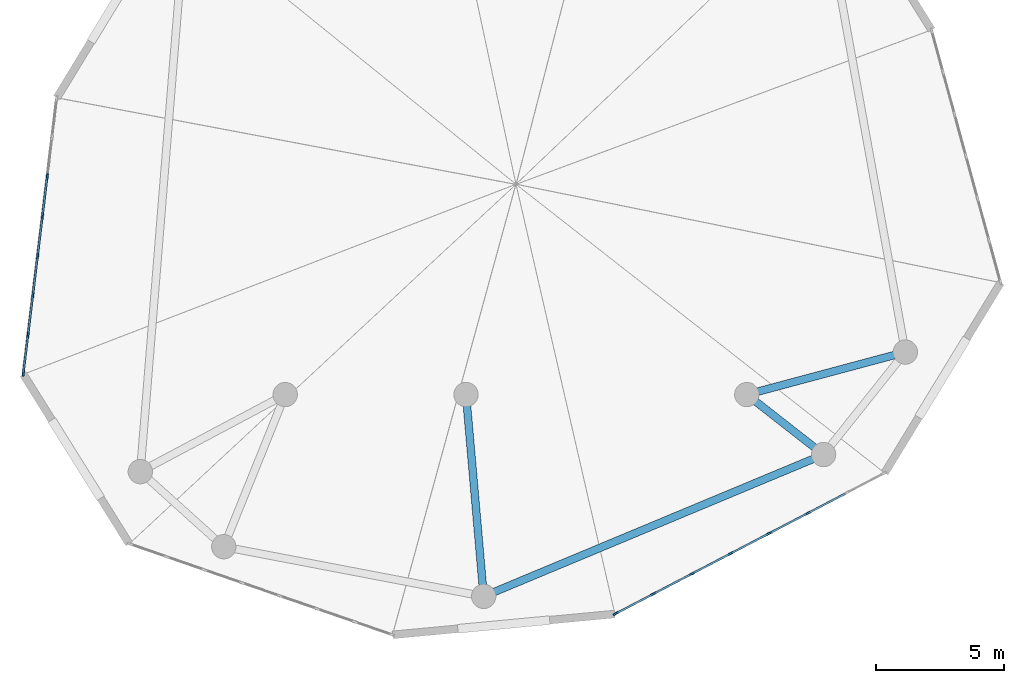
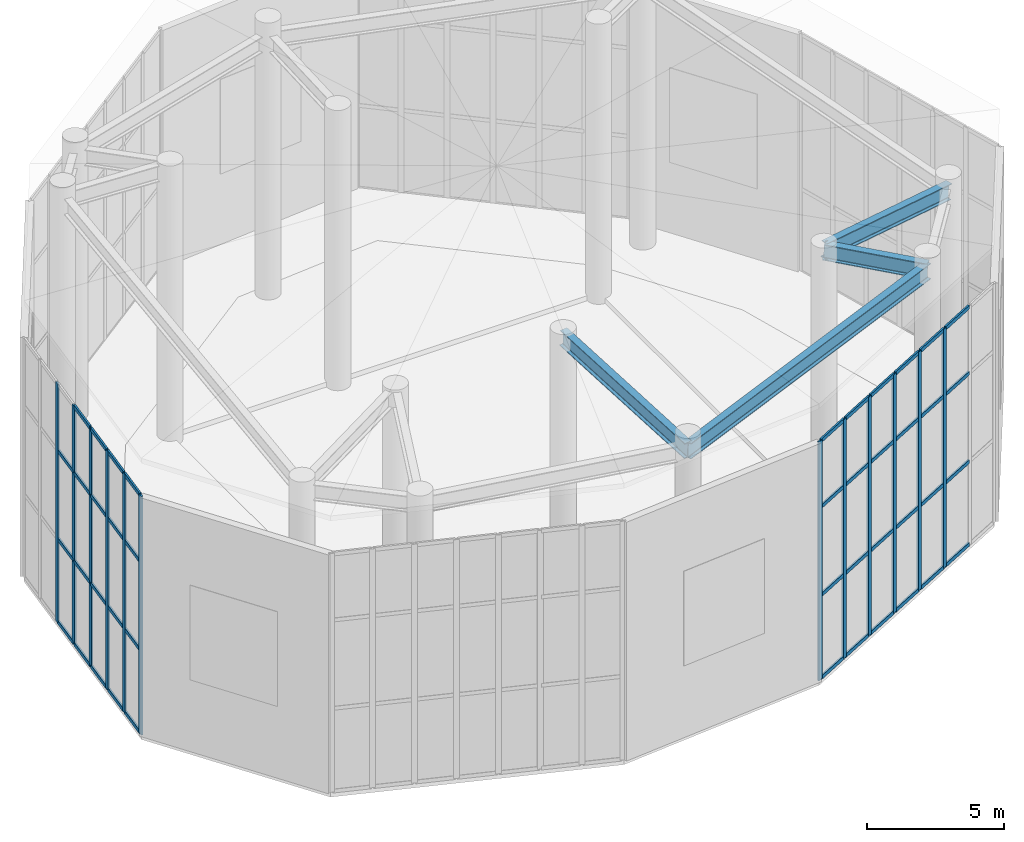
# One storey, part 2 of 8: 55 members, 4 beams, 2 elements without a shape of their own.
"""IFC4 building model written with IfcOpenShell, lengths in metres."""

from ifc_helpers import new_model, si_unit, direction, frame, origin, origin_with_axes, origin_2d, place, context, subcontext, project, spatial, rectangle, i_section, extrude, source, transform, mapped, material, layer, layer_set, material_profile, profile_set, type_object, element, aggregate, save


model = new_model("IFC4")

# Units and contexts
model_context = context("Model", 3, precision=1e-05, world=origin(), true_north=direction((0.0, 1.0)))
body_context = subcontext(model_context, "Body", "Model", "MODEL_VIEW")
ifc_project = project(units=[si_unit("LENGTHUNIT", "METRE"), si_unit("AREAUNIT", "SQUARE_METRE"), si_unit("VOLUMEUNIT", "CUBIC_METRE"), si_unit("PLANEANGLEUNIT", "RADIAN"), si_unit("MASSUNIT", "GRAM", prefix="KILO")], contexts=[model_context])

# Site, building, storey
site_placement = place(None, origin())
site = spatial("IfcSite", under=ifc_project, at=site_placement, CompositionType="ELEMENT")
building_placement = place(site_placement, origin())
building = spatial("IfcBuilding", under=site, at=building_placement, Name="Karkom Vertical University and Central Library", CompositionType="ELEMENT")
storey_placement = place(building_placement, frame((0.0, 0.0, 290.0)))
storey = spatial("IfcBuildingStorey", under=building, at=storey_placement, Name="R82", CompositionType="ELEMENT", Elevation=290.0)

# Beams
ifc_material_1 = material(Name="Steel S355", Category="steel")
ifc_material_profile_1 = material_profile(ifc_material_1, i_section(OverallWidth=0.300048828125, OverallDepth=0.699951171875, WebThickness=0.01708984375, FlangeThickness=0.031982421875, FilletRadius=0.027099609375, at=origin_2d()), Name="HE 700 B")
ifc_profile_set_1 = profile_set([ifc_material_profile_1], Name="Steel S355")
beam_type = type_object("IfcBeamType", Name="STR-BM-SB-HE700", PredefinedType="USERDEFINED", material=ifc_profile_set_1)
shared_shape_1 = source(origin_with_axes(), body_context, "Body", "SweptSolid", [
    extrude(i_section(OverallWidth=0.300048828125, OverallDepth=0.699951171875, WebThickness=0.01708984375, FlangeThickness=0.031982421875, FilletRadius=0.027099609375, at=origin_2d()), origin(), (0.0, 0.0, 1.0), 14.3623046875),
])
beam_1_placement = place(storey_placement, frame((27.239013671875, 10.429931640625, 11.580078125), z_axis=(0.922899796194, 0.385040213725, 0.0), x_axis=(-0.385040213725, 0.922899796194, 0.0)))
element("IfcBeam", 1, at=beam_1_placement, inside=storey, type_object=beam_type, Name="Roof Level 82 Crown Top Cap Ring Beam 08", ObjectType="GIRDER", PredefinedType="USERDEFINED", context=body_context, shape_type="MappedRepresentation", body=[
    mapped(shared_shape_1, transform((0.0, 0.0, 0.0), scale=1.0)),
])
shared_shape_2 = source(origin_with_axes(), body_context, "Body", "SweptSolid", [
    extrude(i_section(OverallWidth=0.300048828125, OverallDepth=0.699951171875, WebThickness=0.01708984375, FlangeThickness=0.031982421875, FilletRadius=0.027099609375, at=origin_2d()), origin(), (0.0, 0.0, 1.0), 6.41943359375),
])
beam_2_placement = place(storey_placement, frame((37.5, 18.300048828125, 12.080078125), z_axis=(0.963007897634, 0.257970955715, -0.077889505721), x_axis=(-0.258757060254, 0.965942432948, 0.0)))
element("IfcBeam", 2, at=beam_2_placement, inside=storey, type_object=beam_type, Name="Roof Level 82 Crown Rafter Girder 01", ObjectType="GIRDER", PredefinedType="USERDEFINED", context=body_context, shape_type="MappedRepresentation", body=[
    mapped(shared_shape_2, transform((0.0, 0.0, 0.0), scale=1.0)),
])
shared_shape_3 = source(origin_with_axes(), body_context, "Body", "SweptSolid", [
    extrude(i_section(OverallWidth=0.300048828125, OverallDepth=0.699951171875, WebThickness=0.01708984375, FlangeThickness=0.031982421875, FilletRadius=0.027099609375, at=origin_2d()), origin(), (0.0, 0.0, 1.0), 7.916015625),
])
beam_3_placement = place(storey_placement, frame((26.550048828125, 18.300048828125, 12.080078125), z_axis=(0.087034216606, -0.994200923636, -0.063163031754), x_axis=(0.996190093951, 0.087208352312, 0.0)))
element("IfcBeam", 3, at=beam_3_placement, inside=storey, type_object=beam_type, Name="Roof Level 82 Crown Rafter Girder 08", ObjectType="GIRDER", PredefinedType="USERDEFINED", context=body_context, shape_type="MappedRepresentation", body=[
    mapped(shared_shape_3, transform((0.0, 0.0, 0.0), scale=1.0)),
])
shared_shape_4 = source(origin_with_axes(), body_context, "Body", "SweptSolid", [
    extrude(i_section(OverallWidth=0.300048828125, OverallDepth=0.699951171875, WebThickness=0.01708984375, FlangeThickness=0.031982421875, FilletRadius=0.027099609375, at=origin_2d()), origin(), (0.0, 0.0, 1.0), 3.832763671875),
])
beam_4_placement = place(storey_placement, frame((37.5, 18.300048828125, 12.080078125), z_axis=(0.781149834919, -0.610561947949, -0.13045705471), x_axis=(0.61582481077, 0.787883114707, 0.0)))
element("IfcBeam", 4, at=beam_4_placement, inside=storey, type_object=beam_type, Name="Roof Level 82 Crown Rafter Girder 09", ObjectType="GIRDER", PredefinedType="USERDEFINED", context=body_context, shape_type="MappedRepresentation", body=[
    mapped(shared_shape_4, transform((0.0, 0.0, 0.0), scale=1.0)),
])

# Curtain wall, members
ifc_material_2 = material(Name="Aluminium curtain-wall framing and low-E IGU", Category="aluminium")
ifc_layer = layer(ifc_material_2, 0.199951171875)
ifc_layer_set = layer_set([ifc_layer], Name="Aluminium curtain-wall framing and low-E IGU")
curtain_wall_type = type_object("IfcCurtainWallType", Name="ENV-CW-6", PredefinedType="USERDEFINED", material=ifc_layer_set)
curtain_wall_1_placement = place(storey_placement, origin())
curtain_wall_1 = element("IfcCurtainWall", 5, at=curtain_wall_1_placement, inside=storey, type_object=curtain_wall_type, Name="Roof Level 82 CW-6 Curtain Wall R82-CW6-04", ObjectType="UNITISED GLAZING", PredefinedType="USERDEFINED")
ifc_material_3 = material(Name="Anodised Aluminium 6063-T6", Category="aluminium")
ifc_material_profile_2 = material_profile(ifc_material_3, rectangle(XDim=0.074951171875, YDim=0.219970703125, at=origin_2d()), Name="ALU-M75x220")
ifc_profile_set_2 = profile_set([ifc_material_profile_2], Name="Anodised Aluminium 6063-T6")
member_type_1 = type_object("IfcMemberType", Name="ENV-MEM-ALU-M75x220", PredefinedType="MULLION", material=ifc_profile_set_2)
shared_shape_5 = source(origin_with_axes(), body_context, "Body", "SweptSolid", [
    extrude(rectangle(XDim=0.074951171875, YDim=0.219970703125, at=origin_2d()), origin(), (0.0, 0.0, 1.0), 10.60009765625),
])
member_1_placement = place(storey_placement, frame((32.388427734375, 9.7568359375, 0.0), z_axis=(0.0, 0.0, 1.0), x_axis=(-0.463283516735, 0.886210123572, 0.0)))
member_1 = element("IfcMember", 6, at=member_1_placement, type_object=member_type_1, Name="CW-6 mullion 1", PredefinedType="MULLION", context=body_context, shape_type="MappedRepresentation", body=[
    mapped(shared_shape_5, transform((0.0, 0.0, 0.0), scale=1.0)),
])
member_2_placement = place(storey_placement, frame((33.858642578125, 10.525390625, 0.0), z_axis=(0.0, 0.0, 1.0), x_axis=(-0.463283516735, 0.886210123572, 0.0)))
member_2 = element("IfcMember", 7, at=member_2_placement, type_object=member_type_1, Name="CW-6 mullion 2", PredefinedType="MULLION", context=body_context, shape_type="MappedRepresentation", body=[
    mapped(shared_shape_5, transform((0.0, 0.0, 0.0), scale=1.0)),
])
member_3_placement = place(storey_placement, frame((35.3623046875, 11.3115234375, 0.0), z_axis=(0.0, 0.0, 1.0), x_axis=(-0.463283516735, 0.886210123572, 0.0)))
member_3 = element("IfcMember", 8, at=member_3_placement, type_object=member_type_1, Name="CW-6 mullion 3", PredefinedType="MULLION", context=body_context, shape_type="MappedRepresentation", body=[
    mapped(shared_shape_5, transform((0.0, 0.0, 0.0), scale=1.0)),
])
member_4_placement = place(storey_placement, frame((36.865966796875, 12.097412109375, 0.0), z_axis=(0.0, 0.0, 1.0), x_axis=(-0.463283516735, 0.886210123572, 0.0)))
member_4 = element("IfcMember", 9, at=member_4_placement, type_object=member_type_1, Name="CW-6 mullion 4", PredefinedType="MULLION", context=body_context, shape_type="MappedRepresentation", body=[
    mapped(shared_shape_5, transform((0.0, 0.0, 0.0), scale=1.0)),
])
member_5_placement = place(storey_placement, frame((38.369384765625, 12.883544921875, 0.0), z_axis=(0.0, 0.0, 1.0), x_axis=(-0.463283516735, 0.886210123572, 0.0)))
member_5 = element("IfcMember", 10, at=member_5_placement, type_object=member_type_1, Name="CW-6 mullion 5", PredefinedType="MULLION", context=body_context, shape_type="MappedRepresentation", body=[
    mapped(shared_shape_5, transform((0.0, 0.0, 0.0), scale=1.0)),
])
member_6_placement = place(storey_placement, frame((39.873046875, 13.66943359375, 0.0), z_axis=(0.0, 0.0, 1.0), x_axis=(-0.463283516735, 0.886210123572, 0.0)))
member_6 = element("IfcMember", 11, at=member_6_placement, type_object=member_type_1, Name="CW-6 mullion 6", PredefinedType="MULLION", context=body_context, shape_type="MappedRepresentation", body=[
    mapped(shared_shape_5, transform((0.0, 0.0, 0.0), scale=1.0)),
])

curtain_wall_2_placement = place(storey_placement, origin())
curtain_wall_2 = element("IfcCurtainWall", 12, at=curtain_wall_2_placement, inside=storey, type_object=curtain_wall_type, Name="Roof Level 82 CW-6 Curtain Wall R82-CW6-12", ObjectType="UNITISED GLAZING", PredefinedType="USERDEFINED")
member_7_placement = place(storey_placement, frame((10.220458984375, 26.794189453125, 0.0), z_axis=(0.0, 0.0, 1.0), x_axis=(0.992706880389, -0.12055309879, 0.0)))
member_7 = element("IfcMember", 13, at=member_7_placement, type_object=member_type_1, Name="CW-6 mullion 3", PredefinedType="MULLION", context=body_context, shape_type="MappedRepresentation", body=[
    mapped(shared_shape_5, transform((0.0, 0.0, 0.0), scale=1.0)),
])
member_8_placement = place(storey_placement, frame((10.033447265625, 25.252685546875, 0.0), z_axis=(0.0, 0.0, 1.0), x_axis=(0.992706880389, -0.12055309879, 0.0)))
member_8 = element("IfcMember", 14, at=member_8_placement, type_object=member_type_1, Name="CW-6 mullion 4", PredefinedType="MULLION", context=body_context, shape_type="MappedRepresentation", body=[
    mapped(shared_shape_5, transform((0.0, 0.0, 0.0), scale=1.0)),
])
member_9_placement = place(storey_placement, frame((9.84619140625, 23.71142578125, 0.0), z_axis=(0.0, 0.0, 1.0), x_axis=(0.992706880389, -0.12055309879, 0.0)))
member_9 = element("IfcMember", 15, at=member_9_placement, type_object=member_type_1, Name="CW-6 mullion 5", PredefinedType="MULLION", context=body_context, shape_type="MappedRepresentation", body=[
    mapped(shared_shape_5, transform((0.0, 0.0, 0.0), scale=1.0)),
])
member_10_placement = place(storey_placement, frame((9.658935546875, 22.169921875, 0.0), z_axis=(0.0, 0.0, 1.0), x_axis=(0.992706880389, -0.12055309879, 0.0)))
member_10 = element("IfcMember", 16, at=member_10_placement, type_object=member_type_1, Name="CW-6 mullion 6", PredefinedType="MULLION", context=body_context, shape_type="MappedRepresentation", body=[
    mapped(shared_shape_5, transform((0.0, 0.0, 0.0), scale=1.0)),
])
member_11_placement = place(storey_placement, frame((9.4716796875, 20.628662109375, 0.0), z_axis=(0.0, 0.0, 1.0), x_axis=(0.992706880389, -0.12055309879, 0.0)))
member_11 = element("IfcMember", 17, at=member_11_placement, type_object=member_type_1, Name="CW-6 mullion 7", PredefinedType="MULLION", context=body_context, shape_type="MappedRepresentation", body=[
    mapped(shared_shape_5, transform((0.0, 0.0, 0.0), scale=1.0)),
])
member_12_placement = place(storey_placement, frame((9.2890625, 19.12451171875, 0.0), z_axis=(0.0, 0.0, 1.0), x_axis=(0.992706880389, -0.12055309879, 0.0)))
member_12 = element("IfcMember", 18, at=member_12_placement, type_object=member_type_1, Name="CW-6 mullion 8", PredefinedType="MULLION", context=body_context, shape_type="MappedRepresentation", body=[
    mapped(shared_shape_5, transform((0.0, 0.0, 0.0), scale=1.0)),
])
ifc_material_profile_3 = material_profile(ifc_material_3, rectangle(XDim=0.074951171875, YDim=0.1650390625, at=origin_2d()), Name="ALU-T75x165")
ifc_profile_set_3 = profile_set([ifc_material_profile_3], Name="Anodised Aluminium 6063-T6")
member_type_2 = type_object("IfcMemberType", Name="ENV-MEM-ALU-T75x165", PredefinedType="USERDEFINED", material=ifc_profile_set_3)
shared_shape_6 = source(origin_with_axes(), body_context, "Body", "SweptSolid", [
    extrude(rectangle(XDim=0.074951171875, YDim=0.1650390625, at=origin_2d()), origin(), (0.0, 0.0, 1.0), 1.440185546875),
])
member_13_placement = place(storey_placement, frame((9.46728515625, 20.59130859375, 0.03759765625), z_axis=(-0.120528806222, -0.992709830147, 0.0), x_axis=(0.992709830147, -0.120528806222, 0.0)))
member_13 = element("IfcMember", 19, at=member_13_placement, type_object=member_type_2, Name="CW-6 transom 7.1", ObjectType="TRANSOM", PredefinedType="USERDEFINED", context=body_context, shape_type="MappedRepresentation", body=[
    mapped(shared_shape_6, transform((0.0, 0.0, 0.0), scale=1.0)),
])
member_14_placement = place(storey_placement, frame((9.46728515625, 20.59130859375, 3.7099609375), z_axis=(-0.120528806222, -0.992709830147, 0.0), x_axis=(0.992709830147, -0.120528806222, 0.0)))
member_14 = element("IfcMember", 20, at=member_14_placement, type_object=member_type_2, Name="CW-6 transom 7.2", ObjectType="TRANSOM", PredefinedType="USERDEFINED", context=body_context, shape_type="MappedRepresentation", body=[
    mapped(shared_shape_6, transform((0.0, 0.0, 0.0), scale=1.0)),
])
member_15_placement = place(storey_placement, frame((9.46728515625, 20.59130859375, 7.632080078125), z_axis=(-0.120528806222, -0.992709830147, 0.0), x_axis=(0.992709830147, -0.120528806222, 0.0)))
member_15 = element("IfcMember", 21, at=member_15_placement, type_object=member_type_2, Name="CW-6 transom 7.3", ObjectType="TRANSOM", PredefinedType="USERDEFINED", context=body_context, shape_type="MappedRepresentation", body=[
    mapped(shared_shape_6, transform((0.0, 0.0, 0.0), scale=1.0)),
])
member_16_placement = place(storey_placement, frame((9.46728515625, 20.59130859375, 10.5625), z_axis=(-0.120528806222, -0.992709830147, 0.0), x_axis=(0.992709830147, -0.120528806222, 0.0)))
member_16 = element("IfcMember", 22, at=member_16_placement, type_object=member_type_2, Name="CW-6 transom 7.4", ObjectType="TRANSOM", PredefinedType="USERDEFINED", context=body_context, shape_type="MappedRepresentation", body=[
    mapped(shared_shape_6, transform((0.0, 0.0, 0.0), scale=1.0)),
])
shared_shape_7 = source(origin_with_axes(), body_context, "Body", "SweptSolid", [
    extrude(rectangle(XDim=0.074951171875, YDim=0.1650390625, at=origin_2d()), origin(), (0.0, 0.0, 1.0), 1.477783203125),
])
member_17_placement = place(storey_placement, frame((10.216064453125, 26.757080078125, 0.03759765625), z_axis=(-0.12059778015, -0.99270145332, 0.0), x_axis=(0.99270145332, -0.12059778015, 0.0)))
member_17 = element("IfcMember", 23, at=member_17_placement, type_object=member_type_2, Name="CW-6 transom 3.1", ObjectType="TRANSOM", PredefinedType="USERDEFINED", context=body_context, shape_type="MappedRepresentation", body=[
    mapped(shared_shape_7, transform((0.0, 0.0, 0.0), scale=1.0)),
])
member_18_placement = place(storey_placement, frame((10.216064453125, 26.757080078125, 3.7099609375), z_axis=(-0.12059778015, -0.99270145332, 0.0), x_axis=(0.99270145332, -0.12059778015, 0.0)))
member_18 = element("IfcMember", 24, at=member_18_placement, type_object=member_type_2, Name="CW-6 transom 3.2", ObjectType="TRANSOM", PredefinedType="USERDEFINED", context=body_context, shape_type="MappedRepresentation", body=[
    mapped(shared_shape_7, transform((0.0, 0.0, 0.0), scale=1.0)),
])
member_19_placement = place(storey_placement, frame((10.216064453125, 26.757080078125, 7.632080078125), z_axis=(-0.12059778015, -0.99270145332, 0.0), x_axis=(0.99270145332, -0.12059778015, 0.0)))
member_19 = element("IfcMember", 25, at=member_19_placement, type_object=member_type_2, Name="CW-6 transom 3.3", ObjectType="TRANSOM", PredefinedType="USERDEFINED", context=body_context, shape_type="MappedRepresentation", body=[
    mapped(shared_shape_7, transform((0.0, 0.0, 0.0), scale=1.0)),
])
member_20_placement = place(storey_placement, frame((10.02880859375, 25.215576171875, 0.03759765625), z_axis=(-0.12059778015, -0.99270145332, 0.0), x_axis=(0.99270145332, -0.12059778015, 0.0)))
member_20 = element("IfcMember", 26, at=member_20_placement, type_object=member_type_2, Name="CW-6 transom 4.1", ObjectType="TRANSOM", PredefinedType="USERDEFINED", context=body_context, shape_type="MappedRepresentation", body=[
    mapped(shared_shape_7, transform((0.0, 0.0, 0.0), scale=1.0)),
])
member_21_placement = place(storey_placement, frame((10.02880859375, 25.215576171875, 3.7099609375), z_axis=(-0.12059778015, -0.99270145332, 0.0), x_axis=(0.99270145332, -0.12059778015, 0.0)))
member_21 = element("IfcMember", 27, at=member_21_placement, type_object=member_type_2, Name="CW-6 transom 4.2", ObjectType="TRANSOM", PredefinedType="USERDEFINED", context=body_context, shape_type="MappedRepresentation", body=[
    mapped(shared_shape_7, transform((0.0, 0.0, 0.0), scale=1.0)),
])
member_22_placement = place(storey_placement, frame((10.02880859375, 25.215576171875, 7.632080078125), z_axis=(-0.12059778015, -0.99270145332, 0.0), x_axis=(0.99270145332, -0.12059778015, 0.0)))
member_22 = element("IfcMember", 28, at=member_22_placement, type_object=member_type_2, Name="CW-6 transom 4.3", ObjectType="TRANSOM", PredefinedType="USERDEFINED", context=body_context, shape_type="MappedRepresentation", body=[
    mapped(shared_shape_7, transform((0.0, 0.0, 0.0), scale=1.0)),
])
member_23_placement = place(storey_placement, frame((10.02880859375, 25.215576171875, 10.5625), z_axis=(-0.12059778015, -0.99270145332, 0.0), x_axis=(0.99270145332, -0.12059778015, 0.0)))
member_23 = element("IfcMember", 29, at=member_23_placement, type_object=member_type_2, Name="CW-6 transom 4.4", ObjectType="TRANSOM", PredefinedType="USERDEFINED", context=body_context, shape_type="MappedRepresentation", body=[
    mapped(shared_shape_7, transform((0.0, 0.0, 0.0), scale=1.0)),
])
member_24_placement = place(storey_placement, frame((9.654541015625, 22.1328125, 0.03759765625), z_axis=(-0.12059778015, -0.99270145332, 0.0), x_axis=(0.99270145332, -0.12059778015, 0.0)))
member_24 = element("IfcMember", 30, at=member_24_placement, type_object=member_type_2, Name="CW-6 transom 6.1", ObjectType="TRANSOM", PredefinedType="USERDEFINED", context=body_context, shape_type="MappedRepresentation", body=[
    mapped(shared_shape_7, transform((0.0, 0.0, 0.0), scale=1.0)),
])
member_25_placement = place(storey_placement, frame((9.654541015625, 22.1328125, 3.7099609375), z_axis=(-0.12059778015, -0.99270145332, 0.0), x_axis=(0.99270145332, -0.12059778015, 0.0)))
member_25 = element("IfcMember", 31, at=member_25_placement, type_object=member_type_2, Name="CW-6 transom 6.2", ObjectType="TRANSOM", PredefinedType="USERDEFINED", context=body_context, shape_type="MappedRepresentation", body=[
    mapped(shared_shape_7, transform((0.0, 0.0, 0.0), scale=1.0)),
])
member_26_placement = place(storey_placement, frame((9.654541015625, 22.1328125, 7.632080078125), z_axis=(-0.12059778015, -0.99270145332, 0.0), x_axis=(0.99270145332, -0.12059778015, 0.0)))
member_26 = element("IfcMember", 32, at=member_26_placement, type_object=member_type_2, Name="CW-6 transom 6.3", ObjectType="TRANSOM", PredefinedType="USERDEFINED", context=body_context, shape_type="MappedRepresentation", body=[
    mapped(shared_shape_7, transform((0.0, 0.0, 0.0), scale=1.0)),
])
member_27_placement = place(storey_placement, frame((9.654541015625, 22.1328125, 10.5625), z_axis=(-0.12059778015, -0.99270145332, 0.0), x_axis=(0.99270145332, -0.12059778015, 0.0)))
member_27 = element("IfcMember", 33, at=member_27_placement, type_object=member_type_2, Name="CW-6 transom 6.4", ObjectType="TRANSOM", PredefinedType="USERDEFINED", context=body_context, shape_type="MappedRepresentation", body=[
    mapped(shared_shape_7, transform((0.0, 0.0, 0.0), scale=1.0)),
])
shared_shape_8 = source(origin_with_axes(), body_context, "Body", "SweptSolid", [
    extrude(rectangle(XDim=0.074951171875, YDim=0.1650390625, at=origin_2d()), origin(), (0.0, 0.0, 1.0), 1.4775390625),
])
member_28_placement = place(storey_placement, frame((9.841552734375, 23.674072265625, 0.03759765625), z_axis=(-0.120454730465, -0.992718821172, 0.0), x_axis=(0.992718821172, -0.120454730465, 0.0)))
member_28 = element("IfcMember", 34, at=member_28_placement, type_object=member_type_2, Name="CW-6 transom 5.1", ObjectType="TRANSOM", PredefinedType="USERDEFINED", context=body_context, shape_type="MappedRepresentation", body=[
    mapped(shared_shape_8, transform((0.0, 0.0, 0.0), scale=1.0)),
])
member_29_placement = place(storey_placement, frame((9.841552734375, 23.674072265625, 3.7099609375), z_axis=(-0.120454730465, -0.992718821172, 0.0), x_axis=(0.992718821172, -0.120454730465, 0.0)))
member_29 = element("IfcMember", 35, at=member_29_placement, type_object=member_type_2, Name="CW-6 transom 5.2", ObjectType="TRANSOM", PredefinedType="USERDEFINED", context=body_context, shape_type="MappedRepresentation", body=[
    mapped(shared_shape_8, transform((0.0, 0.0, 0.0), scale=1.0)),
])
member_30_placement = place(storey_placement, frame((9.841552734375, 23.674072265625, 7.632080078125), z_axis=(-0.120454730465, -0.992718821172, 0.0), x_axis=(0.992718821172, -0.120454730465, 0.0)))
member_30 = element("IfcMember", 36, at=member_30_placement, type_object=member_type_2, Name="CW-6 transom 5.3", ObjectType="TRANSOM", PredefinedType="USERDEFINED", context=body_context, shape_type="MappedRepresentation", body=[
    mapped(shared_shape_8, transform((0.0, 0.0, 0.0), scale=1.0)),
])
member_31_placement = place(storey_placement, frame((9.841552734375, 23.674072265625, 10.5625), z_axis=(-0.120454730465, -0.992718821172, 0.0), x_axis=(0.992718821172, -0.120454730465, 0.0)))
member_31 = element("IfcMember", 37, at=member_31_placement, type_object=member_type_2, Name="CW-6 transom 5.4", ObjectType="TRANSOM", PredefinedType="USERDEFINED", context=body_context, shape_type="MappedRepresentation", body=[
    mapped(shared_shape_8, transform((0.0, 0.0, 0.0), scale=1.0)),
])
aggregate(curtain_wall_2, [member_7, member_8, member_9, member_10, member_11, member_12, member_17, member_18, member_19, member_20, member_21, member_22, member_23, member_28, member_29, member_30, member_31, member_24, member_25, member_26, member_27, member_13, member_14, member_15, member_16])

# Member
shared_shape_9 = source(origin_with_axes(), body_context, "Body", "SweptSolid", [
    extrude(rectangle(XDim=0.074951171875, YDim=0.1650390625, at=origin_2d()), origin(), (0.0, 0.0, 1.0), 1.583984375),
])
member_32_placement = place(storey_placement, frame((32.421630859375, 9.774169921875, 0.03759765625), z_axis=(0.886205310266, 0.463292723941, 0.0), x_axis=(-0.463292723941, 0.886205310266, 0.0)))
member_32 = element("IfcMember", 38, at=member_32_placement, type_object=member_type_2, Name="CW-6 transom 1.1", ObjectType="TRANSOM", PredefinedType="USERDEFINED", context=body_context, shape_type="MappedRepresentation", body=[
    mapped(shared_shape_9, transform((0.0, 0.0, 0.0), scale=1.0)),
])

member_33_placement = place(storey_placement, frame((32.421630859375, 9.774169921875, 3.7099609375), z_axis=(0.886205310266, 0.463292723941, 0.0), x_axis=(-0.463292723941, 0.886205310266, 0.0)))
member_33 = element("IfcMember", 39, at=member_33_placement, type_object=member_type_2, Name="CW-6 transom 1.2", ObjectType="TRANSOM", PredefinedType="USERDEFINED", context=body_context, shape_type="MappedRepresentation", body=[
    mapped(shared_shape_9, transform((0.0, 0.0, 0.0), scale=1.0)),
])

member_34_placement = place(storey_placement, frame((32.421630859375, 9.774169921875, 7.632080078125), z_axis=(0.886205310266, 0.463292723941, 0.0), x_axis=(-0.463292723941, 0.886205310266, 0.0)))
member_34 = element("IfcMember", 40, at=member_34_placement, type_object=member_type_2, Name="CW-6 transom 1.3", ObjectType="TRANSOM", PredefinedType="USERDEFINED", context=body_context, shape_type="MappedRepresentation", body=[
    mapped(shared_shape_9, transform((0.0, 0.0, 0.0), scale=1.0)),
])

member_35_placement = place(storey_placement, frame((32.421630859375, 9.774169921875, 10.5625), z_axis=(0.886205310266, 0.463292723941, 0.0), x_axis=(-0.463292723941, 0.886205310266, 0.0)))
member_35 = element("IfcMember", 41, at=member_35_placement, type_object=member_type_2, Name="CW-6 transom 1.4", ObjectType="TRANSOM", PredefinedType="USERDEFINED", context=body_context, shape_type="MappedRepresentation", body=[
    mapped(shared_shape_9, transform((0.0, 0.0, 0.0), scale=1.0)),
])

shared_shape_10 = source(origin_with_axes(), body_context, "Body", "SweptSolid", [
    extrude(rectangle(XDim=0.074951171875, YDim=0.1650390625, at=origin_2d()), origin(), (0.0, 0.0, 1.0), 1.621826171875),
])
member_36_placement = place(storey_placement, frame((33.891845703125, 10.542724609375, 0.03759765625), z_axis=(0.886181898742, 0.463337503708, 0.0), x_axis=(-0.463337503708, 0.886181898742, 0.0)))
member_36 = element("IfcMember", 42, at=member_36_placement, type_object=member_type_2, Name="CW-6 transom 2.1", ObjectType="TRANSOM", PredefinedType="USERDEFINED", context=body_context, shape_type="MappedRepresentation", body=[
    mapped(shared_shape_10, transform((0.0, 0.0, 0.0), scale=1.0)),
])

member_37_placement = place(storey_placement, frame((33.891845703125, 10.542724609375, 3.7099609375), z_axis=(0.886181898742, 0.463337503708, 0.0), x_axis=(-0.463337503708, 0.886181898742, 0.0)))
member_37 = element("IfcMember", 43, at=member_37_placement, type_object=member_type_2, Name="CW-6 transom 2.2", ObjectType="TRANSOM", PredefinedType="USERDEFINED", context=body_context, shape_type="MappedRepresentation", body=[
    mapped(shared_shape_10, transform((0.0, 0.0, 0.0), scale=1.0)),
])

member_38_placement = place(storey_placement, frame((33.891845703125, 10.542724609375, 7.632080078125), z_axis=(0.886181898742, 0.463337503708, 0.0), x_axis=(-0.463337503708, 0.886181898742, 0.0)))
member_38 = element("IfcMember", 44, at=member_38_placement, type_object=member_type_2, Name="CW-6 transom 2.3", ObjectType="TRANSOM", PredefinedType="USERDEFINED", context=body_context, shape_type="MappedRepresentation", body=[
    mapped(shared_shape_10, transform((0.0, 0.0, 0.0), scale=1.0)),
])

member_39_placement = place(storey_placement, frame((33.891845703125, 10.542724609375, 10.5625), z_axis=(0.886181898742, 0.463337503708, 0.0), x_axis=(-0.463337503708, 0.886181898742, 0.0)))
member_39 = element("IfcMember", 45, at=member_39_placement, type_object=member_type_2, Name="CW-6 transom 2.4", ObjectType="TRANSOM", PredefinedType="USERDEFINED", context=body_context, shape_type="MappedRepresentation", body=[
    mapped(shared_shape_10, transform((0.0, 0.0, 0.0), scale=1.0)),
])

member_40_placement = place(storey_placement, frame((38.402587890625, 12.90087890625, 0.03759765625), z_axis=(0.886243703804, 0.463219275795, 0.0), x_axis=(-0.463219275795, 0.886243703804, 0.0)))
member_40 = element("IfcMember", 46, at=member_40_placement, type_object=member_type_2, Name="CW-6 transom 5.1", ObjectType="TRANSOM", PredefinedType="USERDEFINED", context=body_context, shape_type="MappedRepresentation", body=[
    mapped(shared_shape_10, transform((0.0, 0.0, 0.0), scale=1.0)),
])

member_41_placement = place(storey_placement, frame((38.402587890625, 12.90087890625, 3.7099609375), z_axis=(0.886243703804, 0.463219275795, 0.0), x_axis=(-0.463219275795, 0.886243703804, 0.0)))
member_41 = element("IfcMember", 47, at=member_41_placement, type_object=member_type_2, Name="CW-6 transom 5.2", ObjectType="TRANSOM", PredefinedType="USERDEFINED", context=body_context, shape_type="MappedRepresentation", body=[
    mapped(shared_shape_10, transform((0.0, 0.0, 0.0), scale=1.0)),
])

member_42_placement = place(storey_placement, frame((38.402587890625, 12.90087890625, 7.632080078125), z_axis=(0.886243703804, 0.463219275795, 0.0), x_axis=(-0.463219275795, 0.886243703804, 0.0)))
member_42 = element("IfcMember", 48, at=member_42_placement, type_object=member_type_2, Name="CW-6 transom 5.3", ObjectType="TRANSOM", PredefinedType="USERDEFINED", context=body_context, shape_type="MappedRepresentation", body=[
    mapped(shared_shape_10, transform((0.0, 0.0, 0.0), scale=1.0)),
])

member_43_placement = place(storey_placement, frame((38.402587890625, 12.90087890625, 10.5625), z_axis=(0.886243703804, 0.463219275795, 0.0), x_axis=(-0.463219275795, 0.886243703804, 0.0)))
member_43 = element("IfcMember", 49, at=member_43_placement, type_object=member_type_2, Name="CW-6 transom 5.4", ObjectType="TRANSOM", PredefinedType="USERDEFINED", context=body_context, shape_type="MappedRepresentation", body=[
    mapped(shared_shape_10, transform((0.0, 0.0, 0.0), scale=1.0)),
])

shared_shape_11 = source(origin_with_axes(), body_context, "Body", "SweptSolid", [
    extrude(rectangle(XDim=0.074951171875, YDim=0.1650390625, at=origin_2d()), origin(), (0.0, 0.0, 1.0), 1.62158203125),
])
member_44_placement = place(storey_placement, frame((35.3955078125, 11.328857421875, 0.03759765625), z_axis=(0.886211395118, 0.4632810844, 0.0), x_axis=(-0.4632810844, 0.886211395118, 0.0)))
member_44 = element("IfcMember", 50, at=member_44_placement, type_object=member_type_2, Name="CW-6 transom 3.1", ObjectType="TRANSOM", PredefinedType="USERDEFINED", context=body_context, shape_type="MappedRepresentation", body=[
    mapped(shared_shape_11, transform((0.0, 0.0, 0.0), scale=1.0)),
])

member_45_placement = place(storey_placement, frame((35.3955078125, 11.328857421875, 3.7099609375), z_axis=(0.886211395118, 0.4632810844, 0.0), x_axis=(-0.4632810844, 0.886211395118, 0.0)))
member_45 = element("IfcMember", 51, at=member_45_placement, type_object=member_type_2, Name="CW-6 transom 3.2", ObjectType="TRANSOM", PredefinedType="USERDEFINED", context=body_context, shape_type="MappedRepresentation", body=[
    mapped(shared_shape_11, transform((0.0, 0.0, 0.0), scale=1.0)),
])

member_46_placement = place(storey_placement, frame((35.3955078125, 11.328857421875, 7.632080078125), z_axis=(0.886211395118, 0.4632810844, 0.0), x_axis=(-0.4632810844, 0.886211395118, 0.0)))
member_46 = element("IfcMember", 52, at=member_46_placement, type_object=member_type_2, Name="CW-6 transom 3.3", ObjectType="TRANSOM", PredefinedType="USERDEFINED", context=body_context, shape_type="MappedRepresentation", body=[
    mapped(shared_shape_11, transform((0.0, 0.0, 0.0), scale=1.0)),
])

member_47_placement = place(storey_placement, frame((35.3955078125, 11.328857421875, 10.5625), z_axis=(0.886211395118, 0.4632810844, 0.0), x_axis=(-0.4632810844, 0.886211395118, 0.0)))
member_47 = element("IfcMember", 53, at=member_47_placement, type_object=member_type_2, Name="CW-6 transom 3.4", ObjectType="TRANSOM", PredefinedType="USERDEFINED", context=body_context, shape_type="MappedRepresentation", body=[
    mapped(shared_shape_11, transform((0.0, 0.0, 0.0), scale=1.0)),
])

member_48_placement = place(storey_placement, frame((36.899169921875, 12.11474609375, 0.03759765625), z_axis=(0.886149575817, 0.463399319464, 0.0), x_axis=(-0.463399319464, 0.886149575817, 0.0)))
member_48 = element("IfcMember", 54, at=member_48_placement, type_object=member_type_2, Name="CW-6 transom 4.1", ObjectType="TRANSOM", PredefinedType="USERDEFINED", context=body_context, shape_type="MappedRepresentation", body=[
    mapped(shared_shape_11, transform((0.0, 0.0, 0.0), scale=1.0)),
])

member_49_placement = place(storey_placement, frame((36.899169921875, 12.11474609375, 3.7099609375), z_axis=(0.886149575817, 0.463399319464, 0.0), x_axis=(-0.463399319464, 0.886149575817, 0.0)))
member_49 = element("IfcMember", 55, at=member_49_placement, type_object=member_type_2, Name="CW-6 transom 4.2", ObjectType="TRANSOM", PredefinedType="USERDEFINED", context=body_context, shape_type="MappedRepresentation", body=[
    mapped(shared_shape_11, transform((0.0, 0.0, 0.0), scale=1.0)),
])

member_50_placement = place(storey_placement, frame((36.899169921875, 12.11474609375, 7.632080078125), z_axis=(0.886149575817, 0.463399319464, 0.0), x_axis=(-0.463399319464, 0.886149575817, 0.0)))
member_50 = element("IfcMember", 56, at=member_50_placement, type_object=member_type_2, Name="CW-6 transom 4.3", ObjectType="TRANSOM", PredefinedType="USERDEFINED", context=body_context, shape_type="MappedRepresentation", body=[
    mapped(shared_shape_11, transform((0.0, 0.0, 0.0), scale=1.0)),
])

member_51_placement = place(storey_placement, frame((36.899169921875, 12.11474609375, 10.5625), z_axis=(0.886149575817, 0.463399319464, 0.0), x_axis=(-0.463399319464, 0.886149575817, 0.0)))
member_51 = element("IfcMember", 57, at=member_51_placement, type_object=member_type_2, Name="CW-6 transom 4.4", ObjectType="TRANSOM", PredefinedType="USERDEFINED", context=body_context, shape_type="MappedRepresentation", body=[
    mapped(shared_shape_11, transform((0.0, 0.0, 0.0), scale=1.0)),
])

member_52_placement = place(storey_placement, frame((39.90625, 13.68701171875, 0.03759765625), z_axis=(0.886211395118, 0.4632810844, 0.0), x_axis=(-0.4632810844, 0.886211395118, 0.0)))
member_52 = element("IfcMember", 58, at=member_52_placement, type_object=member_type_2, Name="CW-6 transom 6.1", ObjectType="TRANSOM", PredefinedType="USERDEFINED", context=body_context, shape_type="MappedRepresentation", body=[
    mapped(shared_shape_11, transform((0.0, 0.0, 0.0), scale=1.0)),
])

member_53_placement = place(storey_placement, frame((39.90625, 13.68701171875, 3.7099609375), z_axis=(0.886211395118, 0.4632810844, 0.0), x_axis=(-0.4632810844, 0.886211395118, 0.0)))
member_53 = element("IfcMember", 59, at=member_53_placement, type_object=member_type_2, Name="CW-6 transom 6.2", ObjectType="TRANSOM", PredefinedType="USERDEFINED", context=body_context, shape_type="MappedRepresentation", body=[
    mapped(shared_shape_11, transform((0.0, 0.0, 0.0), scale=1.0)),
])

member_54_placement = place(storey_placement, frame((39.90625, 13.68701171875, 7.632080078125), z_axis=(0.886211395118, 0.4632810844, 0.0), x_axis=(-0.4632810844, 0.886211395118, 0.0)))
member_54 = element("IfcMember", 60, at=member_54_placement, type_object=member_type_2, Name="CW-6 transom 6.3", ObjectType="TRANSOM", PredefinedType="USERDEFINED", context=body_context, shape_type="MappedRepresentation", body=[
    mapped(shared_shape_11, transform((0.0, 0.0, 0.0), scale=1.0)),
])

member_55_placement = place(storey_placement, frame((39.90625, 13.68701171875, 10.5625), z_axis=(0.886211395118, 0.4632810844, 0.0), x_axis=(-0.4632810844, 0.886211395118, 0.0)))
member_55 = element("IfcMember", 61, at=member_55_placement, type_object=member_type_2, Name="CW-6 transom 6.4", ObjectType="TRANSOM", PredefinedType="USERDEFINED", context=body_context, shape_type="MappedRepresentation", body=[
    mapped(shared_shape_11, transform((0.0, 0.0, 0.0), scale=1.0)),
])

aggregate(curtain_wall_1, [member_1, member_2, member_3, member_4, member_5, member_6, member_32, member_33, member_34, member_35, member_36, member_37, member_38, member_39, member_44, member_45, member_46, member_47, member_48, member_49, member_50, member_51, member_40, member_41, member_42, member_43, member_52, member_53, member_54, member_55])

save(model, "model.ifc")
